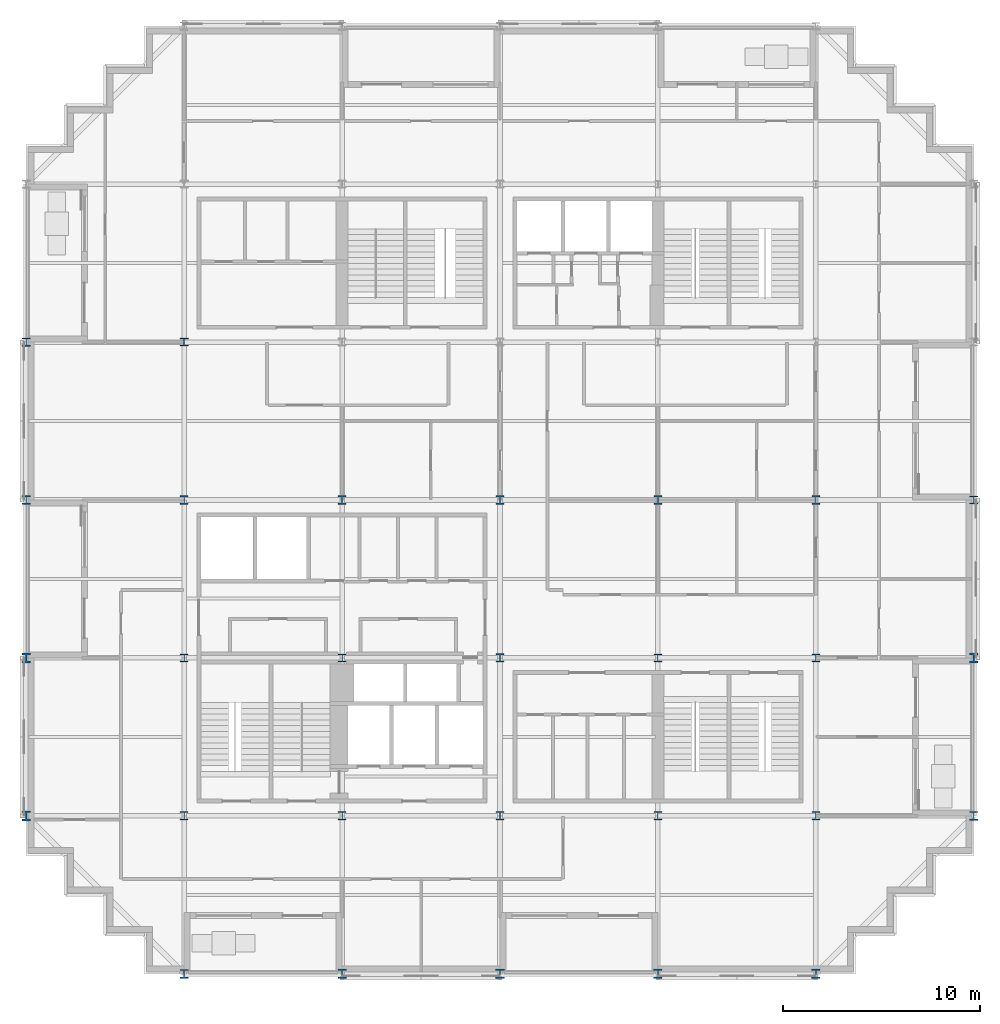
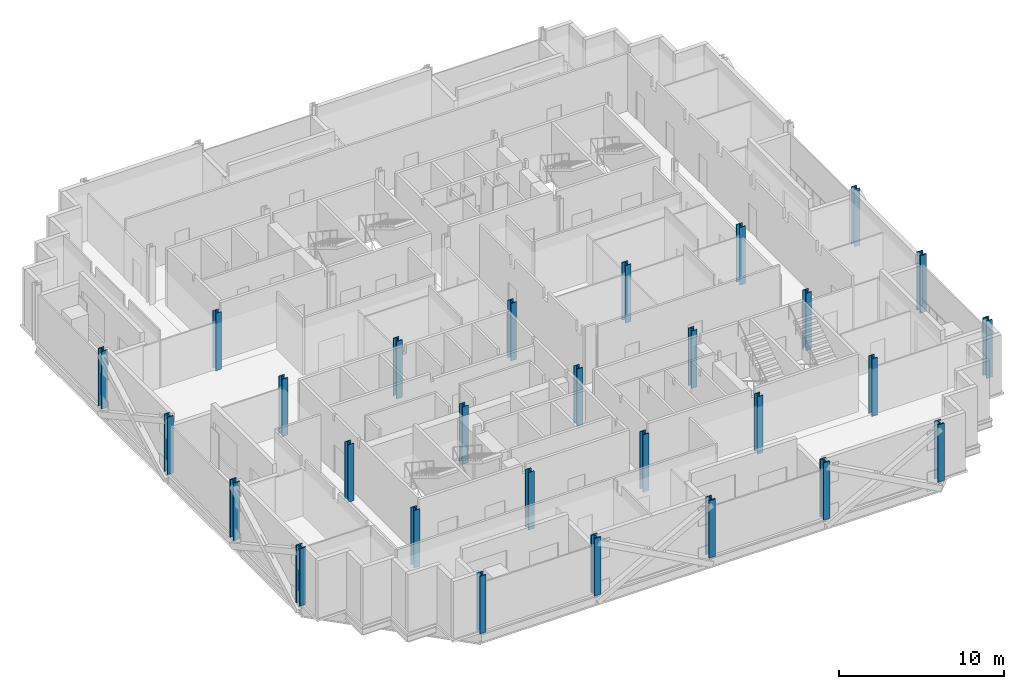
# One storey, part 1 of 15: 28 columns.
"""IFC4 building model written with IfcOpenShell, lengths in metres."""

from ifc_helpers import new_model, si_unit, direction, frame, origin, origin_2d, place, context, subcontext, project, spatial, i_section, extrude, material, material_profile, profile_set, type_object, element, save


model = new_model("IFC4")

# Units and contexts
model_context = context("Model", 3, precision=1e-05, world=origin(), true_north=direction((0.0, 1.0)))
body_context = subcontext(model_context, "Body", "Model", "MODEL_VIEW")
ifc_project = project(units=[si_unit("LENGTHUNIT", "METRE"), si_unit("AREAUNIT", "SQUARE_METRE"), si_unit("VOLUMEUNIT", "CUBIC_METRE"), si_unit("PLANEANGLEUNIT", "RADIAN"), si_unit("MASSUNIT", "GRAM", prefix="KILO")], contexts=[model_context])

# Site, building, storey
site_placement = place(None, origin())
site = spatial("IfcSite", under=ifc_project, at=site_placement, CompositionType="ELEMENT")
building_placement = place(site_placement, origin())
building = spatial("IfcBuilding", under=site, at=building_placement, Name="Immortelle Media Tower", CompositionType="ELEMENT")
storey_placement = place(building_placement, frame((0.0, 0.0, 87.60009765625)))
storey = spatial("IfcBuildingStorey", under=building, at=storey_placement, Name="L16", CompositionType="ELEMENT", Elevation=87.60009765625)

# Columns
ifc_material = material(Name="Steel ASTM A992 Gr 50", Category="steel")
ifc_material_profile_1 = material_profile(ifc_material, i_section(OverallWidth=0.39404296875, OverallDepth=0.3759765625, WebThickness=0.01708984375, FlangeThickness=0.028076171875, at=origin_2d()), Name="W14x145")
ifc_profile_set_1 = profile_set([ifc_material_profile_1], Name="Steel ASTM A992 Gr 50")
column_type_1 = type_object("IfcColumnType", Name="W14x145 column", PredefinedType="COLUMN", material=ifc_profile_set_1)
column_1_placement = place(storey_placement, frame((8.0, 32.0, 0.0), z_axis=(0.0, 0.0, 1.0), x_axis=(1.0, 0.0, 0.0)))
element("IfcColumn", 1, at=column_1_placement, inside=storey, type_object=column_type_1, Name="Column 2/E", PredefinedType="COLUMN", context=body_context, shape_type="SweptSolid", body=[
    extrude(i_section(OverallWidth=0.39404296875, OverallDepth=0.3759765625, WebThickness=0.01708984375, FlangeThickness=0.028076171875, at=origin_2d()), origin(), (0.0, 0.0, 1.0), 4.25),
])
ifc_material_profile_2 = material_profile(ifc_material, i_section(OverallWidth=0.39892578125, OverallDepth=0.385986328125, WebThickness=0.02099609375, FlangeThickness=0.032958984375, at=origin_2d()), Name="W14x176")
ifc_profile_set_2 = profile_set([ifc_material_profile_2], Name="Steel ASTM A992 Gr 50")
column_type_2 = type_object("IfcColumnType", Name="W14x176 column", PredefinedType="COLUMN", material=ifc_profile_set_2)
column_2_placement = place(storey_placement, frame((48.0, 24.0, 0.0), z_axis=(0.0, 0.0, 1.0), x_axis=(1.0, 0.0, 0.0)))
element("IfcColumn", 2, at=column_2_placement, inside=storey, type_object=column_type_2, Name="Column 7/D", PredefinedType="COLUMN", context=body_context, shape_type="SweptSolid", body=[
    extrude(i_section(OverallWidth=0.39892578125, OverallDepth=0.385986328125, WebThickness=0.02099609375, FlangeThickness=0.032958984375, at=origin_2d()), origin(), (0.0, 0.0, 1.0), 4.25),
])
ifc_material_profile_3 = material_profile(ifc_material, i_section(OverallWidth=0.406005859375, OverallDepth=0.4169921875, WebThickness=0.030029296875, FlangeThickness=0.048095703125, at=origin_2d()), Name="W14x257")
ifc_profile_set_3 = profile_set([ifc_material_profile_3], Name="Steel ASTM A992 Gr 50")
column_type_3 = type_object("IfcColumnType", Name="W14x257 column", PredefinedType="COLUMN", material=ifc_profile_set_3)
for number, where, z_axis, x_axis, name in (
    (3, (8.0, 8.0, 0.0), (0.0, 0.0, 1.0), (1.0, 0.0, 0.0), "Column 2/B"),
    (4, (8.0, 16.0, 0.0), (0.0, 0.0, 1.0), (1.0, 0.0, 0.0), "Column 2/C"),
    (5, (16.0, 8.0, 0.0), (0.0, 0.0, 1.0), (1.0, 0.0, 0.0), "Column 3/B"),
    (6, (16.0, 16.0, 0.0), (0.0, 0.0, 1.0), (1.0, 0.0, 0.0), "Column 3/C"),
    (7, (32.0, 8.0, 0.0), (0.0, 0.0, 1.0), (1.0, 0.0, 0.0), "Column 5/B"),
    (8, (32.0, 16.0, 0.0), (0.0, 0.0, 1.0), (1.0, 0.0, 0.0), "Column 5/C"),
    (9, (40.0, 8.0, 0.0), (0.0, 0.0, 1.0), (1.0, 0.0, 0.0), "Column 6/B"),
    (10, (40.0, 16.0, 0.0), (0.0, 0.0, 1.0), (1.0, 0.0, 0.0), "Column 6/C"),
):
    element("IfcColumn", number, at=place(storey_placement, frame(where, z_axis=z_axis, x_axis=x_axis)), inside=storey, type_object=column_type_3, Name=name, PredefinedType="COLUMN", context=body_context, shape_type="SweptSolid", body=[
        extrude(i_section(OverallWidth=0.406005859375, OverallDepth=0.4169921875, WebThickness=0.030029296875, FlangeThickness=0.048095703125, at=origin_2d()), origin(), (0.0, 0.0, 1.0), 4.25),
    ])
ifc_material_profile_4 = material_profile(ifc_material, i_section(OverallWidth=0.410888671875, OverallDepth=0.43408203125, WebThickness=0.035888671875, FlangeThickness=0.056884765625, at=origin_2d()), Name="W14x311")
ifc_profile_set_4 = profile_set([ifc_material_profile_4], Name="Steel ASTM A992 Gr 50")
column_type_4 = type_object("IfcColumnType", Name="W14x311 column", PredefinedType="COLUMN", material=ifc_profile_set_4)
for number, where, z_axis, x_axis, name in (
    (11, (0.0, 24.0, 0.0), (0.0, 0.0, 1.0), (1.0, 0.0, 0.0), "Column 1/D"),
    (12, (0.0, 32.0, 0.0), (0.0, 0.0, 1.0), (1.0, 0.0, 0.0), "Column 1/E"),
    (13, (8.0, 24.0, 0.0), (0.0, 0.0, 1.0), (1.0, 0.0, 0.0), "Column 2/D"),
    (14, (16.0, 24.0, 0.0), (0.0, 0.0, 1.0), (1.0, 0.0, 0.0), "Column 3/D"),
    (15, (24.0, 8.0, 0.0), (0.0, 0.0, 1.0), (1.0, 0.0, 0.0), "Column 4/B"),
    (16, (24.0, 16.0, 0.0), (0.0, 0.0, 1.0), (1.0, 0.0, 0.0), "Column 4/C"),
    (17, (24.0, 24.0, 0.0), (0.0, 0.0, 1.0), (1.0, 0.0, 0.0), "Column 4/D"),
    (18, (32.0, 24.0, 0.0), (0.0, 0.0, 1.0), (1.0, 0.0, 0.0), "Column 5/D"),
    (19, (40.0, 24.0, 0.0), (0.0, 0.0, 1.0), (1.0, 0.0, 0.0), "Column 6/D"),
):
    element("IfcColumn", number, at=place(storey_placement, frame(where, z_axis=z_axis, x_axis=x_axis)), inside=storey, type_object=column_type_4, Name=name, PredefinedType="COLUMN", context=body_context, shape_type="SweptSolid", body=[
        extrude(i_section(OverallWidth=0.410888671875, OverallDepth=0.43408203125, WebThickness=0.035888671875, FlangeThickness=0.056884765625, at=origin_2d()), origin(), (0.0, 0.0, 1.0), 4.25),
    ])
ifc_material_profile_5 = material_profile(ifc_material, i_section(OverallWidth=0.4189453125, OverallDepth=0.455078125, WebThickness=0.0419921875, FlangeThickness=0.068115234375, at=origin_2d()), Name="W14x370")
ifc_profile_set_5 = profile_set([ifc_material_profile_5], Name="Steel ASTM A992 Gr 50")
column_type_5 = type_object("IfcColumnType", Name="W14x370 column", PredefinedType="COLUMN", material=ifc_profile_set_5)
for number, where, z_axis, x_axis, name in (
    (20, (8.0, 0.0, 0.0), (0.0, 0.0, 1.0), (1.0, 0.0, 0.0), "Column 2/A"),
    (21, (48.0, 8.0, 0.0), (0.0, 0.0, 1.0), (1.0, 0.0, 0.0), "Column 7/B"),
):
    element("IfcColumn", number, at=place(storey_placement, frame(where, z_axis=z_axis, x_axis=x_axis)), inside=storey, type_object=column_type_5, Name=name, PredefinedType="COLUMN", context=body_context, shape_type="SweptSolid", body=[
        extrude(i_section(OverallWidth=0.4189453125, OverallDepth=0.455078125, WebThickness=0.0419921875, FlangeThickness=0.068115234375, at=origin_2d()), origin(), (0.0, 0.0, 1.0), 4.25),
    ])
ifc_material_profile_6 = material_profile(ifc_material, i_section(OverallWidth=0.431884765625, OverallDepth=0.498046875, WebThickness=0.055908203125, FlangeThickness=0.089111328125, at=origin_2d()), Name="W14x500")
ifc_profile_set_6 = profile_set([ifc_material_profile_6], Name="Steel ASTM A992 Gr 50")
column_type_6 = type_object("IfcColumnType", Name="W14x500 column", PredefinedType="COLUMN", material=ifc_profile_set_6)
for number, where, z_axis, x_axis, name in (
    (22, (0.0, 8.0, 0.0), (0.0, 0.0, 1.0), (1.0, 0.0, 0.0), "Column 1/B"),
    (23, (0.0, 16.0, 0.0), (0.0, 0.0, 1.0), (1.0, 0.0, 0.0), "Column 1/C"),
    (24, (16.0, 0.0, 0.0), (0.0, 0.0, 1.0), (1.0, 0.0, 0.0), "Column 3/A"),
    (25, (24.0, 0.0, 0.0), (0.0, 0.0, 1.0), (1.0, 0.0, 0.0), "Column 4/A"),
    (26, (32.0, 0.0, 0.0), (0.0, 0.0, 1.0), (1.0, 0.0, 0.0), "Column 5/A"),
    (27, (40.0, 0.0, 0.0), (0.0, 0.0, 1.0), (1.0, 0.0, 0.0), "Column 6/A"),
    (28, (48.0, 16.0, 0.0), (0.0, 0.0, 1.0), (1.0, 0.0, 0.0), "Column 7/C"),
):
    element("IfcColumn", number, at=place(storey_placement, frame(where, z_axis=z_axis, x_axis=x_axis)), inside=storey, type_object=column_type_6, Name=name, PredefinedType="COLUMN", context=body_context, shape_type="SweptSolid", body=[
        extrude(i_section(OverallWidth=0.431884765625, OverallDepth=0.498046875, WebThickness=0.055908203125, FlangeThickness=0.089111328125, at=origin_2d()), origin(), (0.0, 0.0, 1.0), 4.25),
    ])

save(model, "model.ifc")
